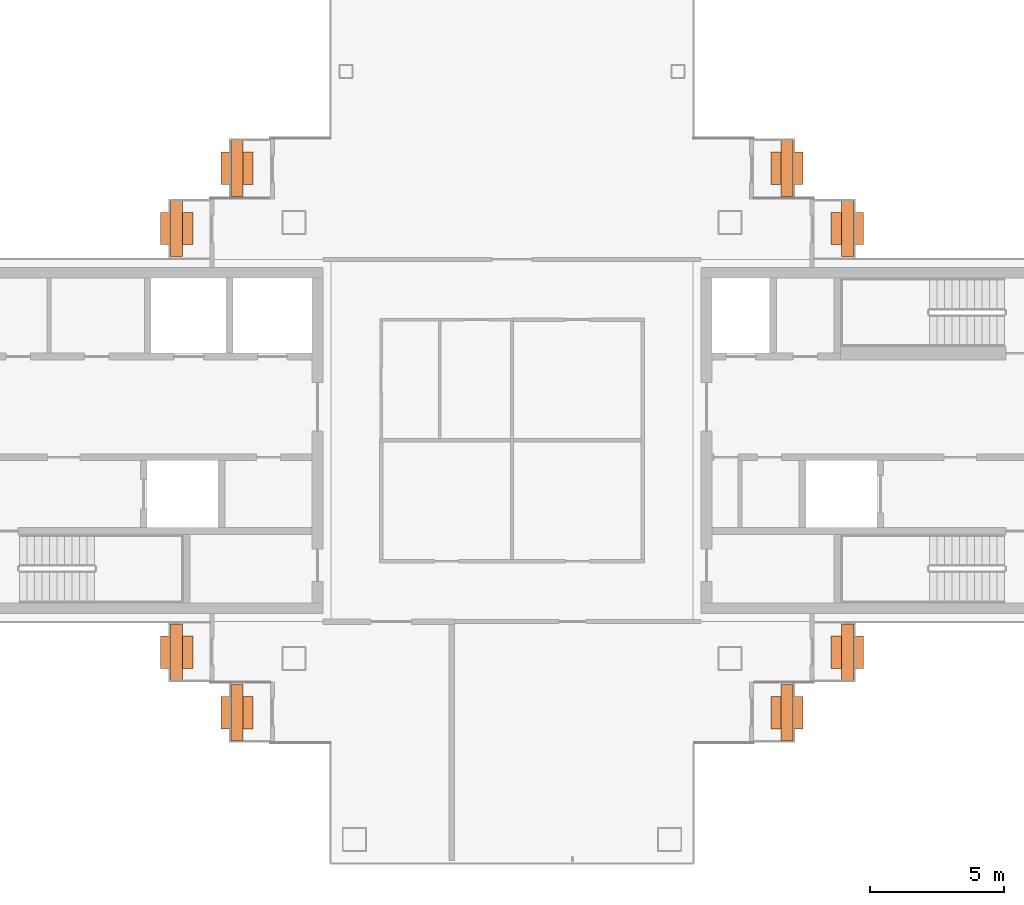
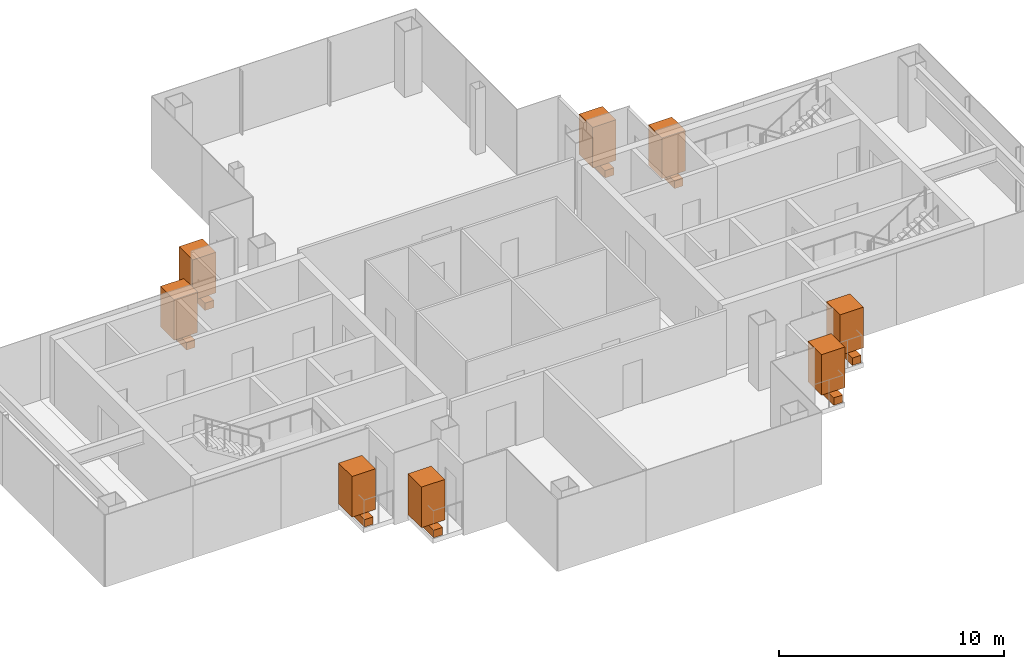
# One storey, part 17 of 17: 8 geographic elements, 8 proxies.
"""IFC4 building model written with IfcOpenShell, lengths in metres."""

from ifc_helpers import new_model, si_unit, direction, frame, origin, origin_2d, place, context, subcontext, project, spatial, rectangle, extrude, material, type_object, element, save


model = new_model("IFC4")

# Units and contexts
model_context = context("Model", 3, precision=1e-05, world=origin(), true_north=direction((0.0, 1.0)))
body_context = subcontext(model_context, "Body", "Model", "MODEL_VIEW")
ifc_project = project(units=[si_unit("LENGTHUNIT", "METRE"), si_unit("AREAUNIT", "SQUARE_METRE"), si_unit("VOLUMEUNIT", "CUBIC_METRE"), si_unit("PLANEANGLEUNIT", "RADIAN"), si_unit("MASSUNIT", "GRAM", prefix="KILO")], contexts=[model_context])

# Site, building, storey
site_placement = place(None, origin())
site = spatial("IfcSite", under=ifc_project, at=site_placement, CompositionType="ELEMENT")
building_placement = place(site_placement, origin())
building = spatial("IfcBuilding", under=site, at=building_placement, Name="Shamsa Quay Exchange Towers", CompositionType="ELEMENT")
storey_placement = place(building_placement, frame((0.0, 0.0, 257.699951171875)))
storey = spatial("IfcBuildingStorey", under=building, at=storey_placement, Name="L62", CompositionType="ELEMENT", Elevation=257.699951171875)

# Proxies
ifc_material_1 = material(Name="Reinforced concrete C30/37, black glass-fibre faced", Category="concrete")
building_element_proxy_type = type_object("IfcBuildingElementProxyType", Name="BALCONY PLANTER", PredefinedType="USERDEFINED", material=ifc_material_1)
for number, where, z_axis, x_axis, name in (
    (1, (23.5048828125, 10.14404296875, 0.0), (0.0, 0.0, 1.0), (0.0, -1.0, 0.0), "PLANTER T2-PKEN L62"),
    (2, (21.2548828125, 7.89404296875, 0.0), (0.0, 0.0, 1.0), (0.0, -1.0, 0.0), "PLANTER T2-PKEN L62"),
    (3, (43.9951171875, 10.14404296875, 0.0), (0.0, 0.0, 1.0), (0.0, 1.0, 0.0), "PLANTER T2-PKES L62"),
    (4, (46.2451171875, 7.89404296875, 0.0), (0.0, 0.0, 1.0), (0.0, 1.0, 0.0), "PLANTER T2-PKES L62"),
    (5, (21.2548828125, -7.89404296875, 0.0), (0.0, 0.0, 1.0), (0.0, -1.0, 0.0), "PLANTER T2-PKWN L62"),
    (6, (23.5048828125, -10.14404296875, 0.0), (0.0, 0.0, 1.0), (0.0, -1.0, 0.0), "PLANTER T2-PKWN L62"),
    (7, (43.9951171875, -10.14404296875, 0.0), (0.0, 0.0, 1.0), (0.0, 1.0, 0.0), "PLANTER T2-PKWS L62"),
    (8, (46.2451171875, -7.89404296875, 0.0), (0.0, 0.0, 1.0), (0.0, 1.0, 0.0), "PLANTER T2-PKWS L62"),
):
    element("IfcBuildingElementProxy", number, at=place(storey_placement, frame(where, z_axis=z_axis, x_axis=x_axis)), inside=storey, type_object=building_element_proxy_type, Name=name, ObjectType="PLANTER", PredefinedType="USERDEFINED", context=body_context, shape_type="SweptSolid", body=[
        extrude(rectangle(XDim=2.092041015625, YDim=0.449951171875, at=origin_2d()), origin(), (0.0, 0.0, 1.0), 0.39990234375),
    ])

# Geographic elements
ifc_material_2 = material(Name="Planting")
geographic_element_type = type_object("IfcGeographicElementType", Name="BALCONY TREE", PredefinedType="USERDEFINED", material=ifc_material_2)
for number, where, z_axis, x_axis, name in (
    (9, (23.5048828125, 10.14404296875, 0.39990234375), (0.0, 0.0, 1.0), (0.0, -1.0, 0.0), "TREE T2-PKEN L62"),
    (10, (21.2548828125, 7.89404296875, 0.39990234375), (0.0, 0.0, 1.0), (0.0, -1.0, 0.0), "TREE T2-PKEN L62"),
    (11, (43.9951171875, 10.14404296875, 0.39990234375), (0.0, 0.0, 1.0), (0.0, 1.0, 0.0), "TREE T2-PKES L62"),
    (12, (46.2451171875, 7.89404296875, 0.39990234375), (0.0, 0.0, 1.0), (0.0, 1.0, 0.0), "TREE T2-PKES L62"),
    (13, (21.2548828125, -7.89404296875, 0.39990234375), (0.0, 0.0, 1.0), (0.0, -1.0, 0.0), "TREE T2-PKWN L62"),
    (14, (23.5048828125, -10.14404296875, 0.39990234375), (0.0, 0.0, 1.0), (0.0, -1.0, 0.0), "TREE T2-PKWN L62"),
    (15, (43.9951171875, -10.14404296875, 0.39990234375), (0.0, 0.0, 1.0), (0.0, 1.0, 0.0), "TREE T2-PKWS L62"),
    (16, (46.2451171875, -7.89404296875, 0.39990234375), (0.0, 0.0, 1.0), (0.0, 1.0, 0.0), "TREE T2-PKWS L62"),
):
    element("IfcGeographicElement", number, at=place(storey_placement, frame(where, z_axis=z_axis, x_axis=x_axis)), inside=storey, type_object=geographic_element_type, Name=name, ObjectType="TREE", PredefinedType="USERDEFINED", context=body_context, shape_type="SweptSolid", body=[
        extrude(rectangle(XDim=1.199951171875, YDim=1.199951171875, at=origin_2d()), origin(), (0.0, 0.0, 1.0), 2.199951171875),
    ])

save(model, "model.ifc")
